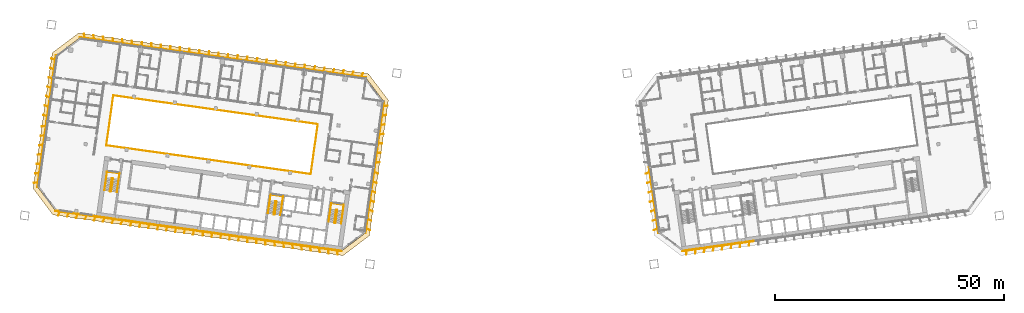
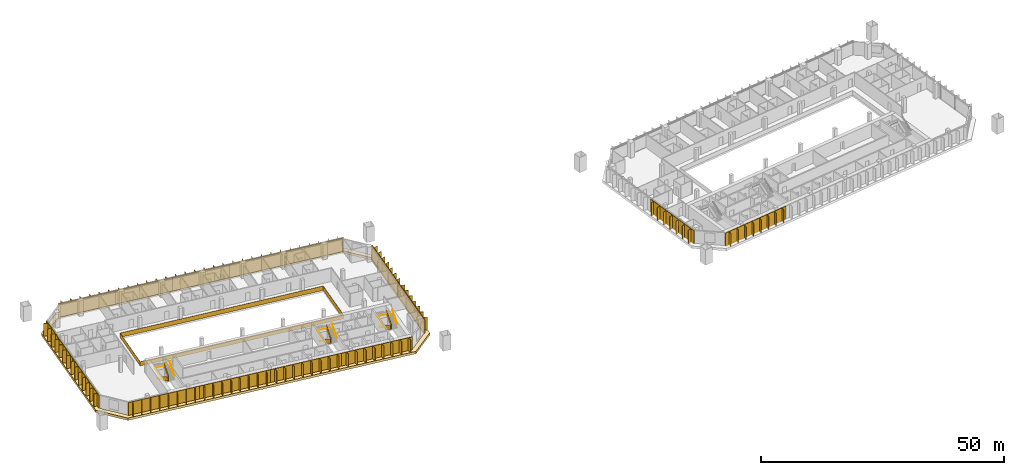
# One storey, part 24 of 25: 15 shading devices, 7 railings, 1 covering.
"""IFC4 building model written with IfcOpenShell, lengths in metres."""

from ifc_helpers import new_model, si_unit, direction, frame, origin, origin_2d, place, context, subcontext, project, spatial, polyline, rectangle, outline, extrude, material, layer, layer_set, type_object, element, save


model = new_model("IFC4")

# Units and contexts
model_context = context("Model", 3, precision=1e-05, world=origin(), true_north=direction((0.0, 1.0)))
body_context = subcontext(model_context, "Body", "Model", "MODEL_VIEW")
ifc_project = project(units=[si_unit("LENGTHUNIT", "METRE"), si_unit("AREAUNIT", "SQUARE_METRE"), si_unit("VOLUMEUNIT", "CUBIC_METRE"), si_unit("PLANEANGLEUNIT", "RADIAN"), si_unit("MASSUNIT", "GRAM", prefix="KILO")], contexts=[model_context])

# Site, building, storey
site_placement = place(None, origin())
site = spatial("IfcSite", under=ifc_project, at=site_placement, CompositionType="ELEMENT")
building_placement = place(site_placement, origin())
building = spatial("IfcBuilding", under=site, at=building_placement, Name="Mirante Cascada Hotel Towers", CompositionType="ELEMENT")
storey_placement = place(building_placement, frame((0.0, 0.0, 54.7)))
storey = spatial("IfcBuildingStorey", under=building, at=storey_placement, Name="L10", CompositionType="ELEMENT", Elevation=54.7)

# Railing
ifc_material_1 = material(Name="Toughened glass with stainless steel handrail", Category="steel")
railing_type_1 = type_object("IfcRailingType", Name="Atrium guard 1100 glass balustrade", PredefinedType="GUARDRAIL", material=ifc_material_1)
railing_1_placement = place(storey_placement, frame((-43.8418, -3.4881, 0.0)))
element("IfcRailing", 1, at=railing_1_placement, inside=storey, type_object=railing_type_1, Name="GUARD 1-L10-1", PredefinedType="GUARDRAIL", context=body_context, shape_type="SweptSolid", body=[
    extrude(rectangle(XDim=0.048, YDim=0.048, at=origin_2d()), frame((0.0, 0.0, 1.076), z_axis=(-0.9902681, 0.1391732, 0.0), x_axis=(-0.1391732, -0.9902681, 0.0)), (0.0, 0.0, 1.0), 45.0),
    extrude(rectangle(XDim=0.02, YDim=1.052, at=origin_2d()), frame((0.0, 0.0, 0.526), z_axis=(-0.9902681, 0.1391732, 0.0), x_axis=(-0.1391732, -0.9902681, 0.0)), (0.0, 0.0, 1.0), 45.0),
    extrude(rectangle(XDim=0.048, YDim=0.048, at=origin_2d()), frame((-44.5621, 6.2628, 1.076), z_axis=(0.1391721, 0.9902682, 0.0), x_axis=(-0.9902682, 0.1391721, 0.0)), (0.0, 0.0, 1.0), 11.0001),
    extrude(rectangle(XDim=0.02, YDim=1.052, at=origin_2d()), frame((-44.5621, 6.2628, 0.526), z_axis=(0.1391721, 0.9902682, 0.0), x_axis=(-0.9902682, 0.1391721, 0.0)), (0.0, 0.0, 1.0), 11.0001),
    extrude(rectangle(XDim=0.048, YDim=0.048, at=origin_2d()), frame((-43.0312, 17.1558, 1.076), z_axis=(0.9902681, -0.1391732, 0.0), x_axis=(0.1391732, 0.9902681, 0.0)), (0.0, 0.0, 1.0), 45.0),
    extrude(rectangle(XDim=0.02, YDim=1.052, at=origin_2d()), frame((-43.0312, 17.1558, 0.526), z_axis=(0.9902681, -0.1391732, 0.0), x_axis=(0.1391732, 0.9902681, 0.0)), (0.0, 0.0, 1.0), 45.0),
    extrude(rectangle(XDim=0.048, YDim=0.048, at=origin_2d()), frame((1.5309, 10.893, 1.076), z_axis=(-0.1391721, -0.9902682, 0.0), x_axis=(0.9902682, -0.1391721, 0.0)), (0.0, 0.0, 1.0), 11.0001),
    extrude(rectangle(XDim=0.02, YDim=1.052, at=origin_2d()), frame((1.5309, 10.893, 0.526), z_axis=(-0.1391721, -0.9902682, 0.0), x_axis=(0.9902682, -0.1391721, 0.0)), (0.0, 0.0, 1.0), 11.0001),
])

# Covering
ifc_material_2 = material(Name="Precast concrete C40/50 white", Category="concrete")
ifc_layer = layer(ifc_material_2, 0.6)
ifc_layer_set = layer_set([ifc_layer], Name="Precast concrete SUNSHADE band 1000x600")
covering_type = type_object("IfcCoveringType", Name="Precast concrete SUNSHADE band 1000x600", PredefinedType="CLADDING", material=ifc_layer_set)
covering_placement = place(storey_placement, frame((0.0, 0.0, -0.45)))
element("IfcCovering", 2, at=covering_placement, inside=storey, type_object=covering_type, Name="Precast concrete SUNSHADE band T1 L10", PredefinedType="CLADDING", context=body_context, shape_type="SweptSolid", body=[
    extrude(outline(polyline([(-104.3652, -6.6094), (-100.2139, 22.9287), (-94.4698, 27.2572), (-31.2626, 18.374), (-26.9341, 12.6299), (-31.0854, -16.9082), (-36.8295, -21.2367), (-100.0367, -12.3535), (-104.3652, -6.6094)]), holes=[polyline([(-27.982, 12.3589), (-31.8119, 17.4414), (-94.1988, 26.2093), (-99.2813, 22.3794), (-103.3173, -6.3384), (-99.4874, -11.4209), (-37.1005, -20.1888), (-32.018, -16.3589), (-27.982, 12.3589)])]), origin(), (0.0, 0.0, 1.0), 0.6),
])

# Railings
ifc_material_3 = material(Name="Painted steel", Category="steel")
railing_type_2 = type_object("IfcRailingType", Name="Stair guard 1100 steel balustrade", PredefinedType="GUARDRAIL", material=ifc_material_3)
railing_2_placement = place(storey_placement, frame((-38.1178, -11.2603, 0.0)))
element("IfcRailing", 3, at=railing_2_placement, inside=storey, type_object=railing_type_2, Name="L10 ST1-A stair guard 1", PredefinedType="GUARDRAIL", context=body_context, shape_type="SweptSolid", body=[
    extrude(rectangle(XDim=0.048, YDim=0.048, at=origin_2d()), frame((0.0, 0.0, 1.076), z_axis=(-0.9903326, 0.1387133, 0.0), x_axis=(-0.1387133, -0.9903326, 0.0)), (0.0, 0.0, 1.0), 0.1499),
    extrude(rectangle(XDim=0.02, YDim=1.052, at=origin_2d()), frame((0.0, 0.0, 0.526), z_axis=(-0.9903326, 0.1387133, 0.0), x_axis=(-0.1387133, -0.9903326, 0.0)), (0.0, 0.0, 1.0), 0.1499),
    extrude(rectangle(XDim=0.048, YDim=0.048, at=origin_2d()), frame((-0.1485, 0.0208, 1.076), z_axis=(-0.7991505, -0.6011309, 0.0), x_axis=(0.6011309, -0.7991505, 0.0)), (0.0, 0.9254529, 0.3788627), 0.1866),
    extrude(rectangle(XDim=0.02, YDim=1.052, at=origin_2d()), frame((-0.1485, 0.0208, 0.526), z_axis=(-0.7991505, -0.6011309, 0.0), x_axis=(0.6011309, -0.7991505, 0.0)), (0.0, 0.9254529, 0.3788627), 0.1866),
    extrude(rectangle(XDim=0.048, YDim=0.048, at=origin_2d()), frame((-0.205, -0.0217, 1.2487), z_axis=(-0.139176, -0.9902677, 0.0), x_axis=(0.9902677, -0.139176, 0.0)), (0.0, 0.5250212, 0.8510891), 3.29),
    extrude(rectangle(XDim=0.02, YDim=1.052, at=origin_2d()), frame((-0.205, -0.0217, 0.6987), z_axis=(-0.139176, -0.9902677, 0.0), x_axis=(0.9902677, -0.139176, 0.0)), (0.0, 0.5250212, 0.8510891), 3.29),
    extrude(rectangle(XDim=0.048, YDim=0.048, at=origin_2d()), frame((-0.5947, -2.7945, 2.976), z_axis=(0.9270311, -0.3749843, 0.0), x_axis=(0.3749843, 0.9270311, 0.0)), (0.0, 0.0, 1.0), 0.2061),
    extrude(rectangle(XDim=0.02, YDim=1.052, at=origin_2d()), frame((-0.5947, -2.7945, 2.426), z_axis=(0.9270311, -0.3749843, 0.0), x_axis=(0.3749843, 0.9270311, 0.0)), (0.0, 0.0, 1.0), 0.2061),
    extrude(rectangle(XDim=0.048, YDim=0.048, at=origin_2d()), frame((-0.4036, -2.8718, 2.976), z_axis=(-0.9902408, 0.1393672, 0.0), x_axis=(-0.1393672, -0.9902408, 0.0)), (0.0, 0.0, 1.0), 0.15),
    extrude(rectangle(XDim=0.02, YDim=1.052, at=origin_2d()), frame((-0.4036, -2.8718, 2.426), z_axis=(-0.9902408, 0.1393672, 0.0), x_axis=(-0.1393672, -0.9902408, 0.0)), (0.0, 0.0, 1.0), 0.15),
    extrude(rectangle(XDim=0.048, YDim=0.048, at=origin_2d()), frame((-0.5521, -2.8509, 2.976), z_axis=(0.9944948, 0.1047858, 0.0), x_axis=(-0.1047858, 0.9944948, 0.0)), (0.0, 0.6422034, 0.7665343), 0.2689),
    extrude(rectangle(XDim=0.02, YDim=1.052, at=origin_2d()), frame((-0.5521, -2.8509, 2.426), z_axis=(0.9944948, 0.1047858, 0.0), x_axis=(-0.1047858, 0.9944948, 0.0)), (0.0, 0.6422034, 0.7665343), 0.2689),
    extrude(rectangle(XDim=0.048, YDim=0.048, at=origin_2d()), frame((-0.3471, -2.8293, 3.1487), z_axis=(0.139176, 0.9902677, 0.0), x_axis=(-0.9902677, 0.139176, 0.0)), (0.0, 0.5250212, 0.8510891), 3.29),
    extrude(rectangle(XDim=0.02, YDim=1.052, at=origin_2d()), frame((-0.3471, -2.8293, 2.5987), z_axis=(0.139176, 0.9902677, 0.0), x_axis=(-0.9902677, 0.139176, 0.0)), (0.0, 0.5250212, 0.8510891), 3.29),
])
railing_3_placement = place(storey_placement, frame((-51.3379, -9.4024, 0.0)))
element("IfcRailing", 4, at=railing_3_placement, inside=storey, type_object=railing_type_2, Name="L10 ST1-B stair guard 1", PredefinedType="GUARDRAIL", context=body_context, shape_type="SweptSolid", body=[
    extrude(rectangle(XDim=0.048, YDim=0.048, at=origin_2d()), frame((0.0, 0.0, 1.076), z_axis=(-0.9902408, 0.1393672, 0.0), x_axis=(-0.1393672, -0.9902408, 0.0)), (0.0, 0.0, 1.0), 0.15),
    extrude(rectangle(XDim=0.02, YDim=1.052, at=origin_2d()), frame((0.0, 0.0, 0.526), z_axis=(-0.9902408, 0.1393672, 0.0), x_axis=(-0.1393672, -0.9902408, 0.0)), (0.0, 0.0, 1.0), 0.15),
    extrude(rectangle(XDim=0.048, YDim=0.048, at=origin_2d()), frame((-0.1485, 0.0209, 1.076), z_axis=(-0.7984711, -0.6020331, 0.0), x_axis=(0.6020331, -0.7984711, 0.0)), (0.0, 0.9253398, 0.3791387), 0.1866),
    extrude(rectangle(XDim=0.02, YDim=1.052, at=origin_2d()), frame((-0.1485, 0.0209, 0.526), z_axis=(-0.7984711, -0.6020331, 0.0), x_axis=(0.6020331, -0.7984711, 0.0)), (0.0, 0.9253398, 0.3791387), 0.1866),
    extrude(rectangle(XDim=0.048, YDim=0.048, at=origin_2d()), frame((-0.205, -0.0217, 1.2487), z_axis=(-0.139181, -0.990267, 0.0), x_axis=(0.990267, -0.139181, 0.0)), (0.0, 0.5250347, 0.8510808), 3.2899),
    extrude(rectangle(XDim=0.02, YDim=1.052, at=origin_2d()), frame((-0.205, -0.0217, 0.6987), z_axis=(-0.139181, -0.990267, 0.0), x_axis=(0.990267, -0.139181, 0.0)), (0.0, 0.5250347, 0.8510808), 3.2899),
    extrude(rectangle(XDim=0.048, YDim=0.048, at=origin_2d()), frame((-0.5947, -2.7944, 2.976), z_axis=(0.9268624, -0.3754011, 0.0), x_axis=(0.3754011, 0.9268624, 0.0)), (0.0, 0.0, 1.0), 0.2062),
    extrude(rectangle(XDim=0.02, YDim=1.052, at=origin_2d()), frame((-0.5947, -2.7944, 2.426), z_axis=(0.9268624, -0.3754011, 0.0), x_axis=(0.3754011, 0.9268624, 0.0)), (0.0, 0.0, 1.0), 0.2062),
    extrude(rectangle(XDim=0.048, YDim=0.048, at=origin_2d()), frame((-0.4036, -2.8718, 2.976), z_axis=(-0.9902408, 0.1393672, 0.0), x_axis=(-0.1393672, -0.9902408, 0.0)), (0.0, 0.0, 1.0), 0.15),
    extrude(rectangle(XDim=0.02, YDim=1.052, at=origin_2d()), frame((-0.4036, -2.8718, 2.426), z_axis=(-0.9902408, 0.1393672, 0.0), x_axis=(-0.1393672, -0.9902408, 0.0)), (0.0, 0.0, 1.0), 0.15),
    extrude(rectangle(XDim=0.048, YDim=0.048, at=origin_2d()), frame((-0.5521, -2.8509, 2.976), z_axis=(0.9944441, 0.1052656, 0.0), x_axis=(-0.1052656, 0.9944441, 0.0)), (0.0, 0.6421842, 0.7665504), 0.2689),
    extrude(rectangle(XDim=0.02, YDim=1.052, at=origin_2d()), frame((-0.5521, -2.8509, 2.426), z_axis=(0.9944441, 0.1052656, 0.0), x_axis=(-0.1052656, 0.9944441, 0.0)), (0.0, 0.6421842, 0.7665504), 0.2689),
    extrude(rectangle(XDim=0.048, YDim=0.048, at=origin_2d()), frame((-0.3471, -2.8292, 3.1487), z_axis=(0.139181, 0.990267, 0.0), x_axis=(-0.990267, 0.139181, 0.0)), (0.0, 0.5250347, 0.8510808), 3.2899),
    extrude(rectangle(XDim=0.02, YDim=1.052, at=origin_2d()), frame((-0.3471, -2.8292, 2.5987), z_axis=(0.139181, 0.990267, 0.0), x_axis=(-0.990267, 0.139181, 0.0)), (0.0, 0.5250347, 0.8510808), 3.2899),
])
railing_4_placement = place(storey_placement, frame((-86.9875, -4.3922, 0.0)))
element("IfcRailing", 5, at=railing_4_placement, inside=storey, type_object=railing_type_2, Name="L10 ST1-C stair guard 1", PredefinedType="GUARDRAIL", context=body_context, shape_type="SweptSolid", body=[
    extrude(rectangle(XDim=0.048, YDim=0.048, at=origin_2d()), frame((0.0, 0.0, 1.076), z_axis=(-0.9902537, 0.1392753, 0.0), x_axis=(-0.1392753, -0.9902537, 0.0)), (0.0, 0.0, 1.0), 0.1501),
    extrude(rectangle(XDim=0.02, YDim=1.052, at=origin_2d()), frame((0.0, 0.0, 0.526), z_axis=(-0.9902537, 0.1392753, 0.0), x_axis=(-0.1392753, -0.9902537, 0.0)), (0.0, 0.0, 1.0), 0.1501),
    extrude(rectangle(XDim=0.048, YDim=0.048, at=origin_2d()), frame((-0.1486, 0.0209, 1.076), z_axis=(-0.7986386, -0.601811, 0.0), x_axis=(0.601811, -0.7986386, 0.0)), (0.0, 0.925603, 0.3784959), 0.1866),
    extrude(rectangle(XDim=0.02, YDim=1.052, at=origin_2d()), frame((-0.1486, 0.0209, 0.526), z_axis=(-0.7986386, -0.601811, 0.0), x_axis=(0.601811, -0.7986386, 0.0)), (0.0, 0.925603, 0.3784959), 0.1866),
    extrude(rectangle(XDim=0.048, YDim=0.048, at=origin_2d()), frame((-0.205, -0.0216, 1.2487), z_axis=(-0.139176, -0.9902677, 0.0), x_axis=(0.9902677, -0.139176, 0.0)), (0.0, 0.5250212, 0.8510891), 3.29),
    extrude(rectangle(XDim=0.02, YDim=1.052, at=origin_2d()), frame((-0.205, -0.0216, 0.6987), z_axis=(-0.139176, -0.9902677, 0.0), x_axis=(0.9902677, -0.139176, 0.0)), (0.0, 0.5250212, 0.8510891), 3.29),
    extrude(rectangle(XDim=0.048, YDim=0.048, at=origin_2d()), frame((-0.5947, -2.7944, 2.976), z_axis=(0.9270311, -0.3749843, 0.0), x_axis=(0.3749843, 0.9270311, 0.0)), (0.0, 0.0, 1.0), 0.2061),
    extrude(rectangle(XDim=0.02, YDim=1.052, at=origin_2d()), frame((-0.5947, -2.7944, 2.426), z_axis=(0.9270311, -0.3749843, 0.0), x_axis=(0.3749843, 0.9270311, 0.0)), (0.0, 0.0, 1.0), 0.2061),
    extrude(rectangle(XDim=0.048, YDim=0.048, at=origin_2d()), frame((-0.4036, -2.8717, 2.976), z_axis=(-0.9903454, 0.1386217, 0.0), x_axis=(-0.1386217, -0.9903454, 0.0)), (0.0, 0.0, 1.0), 0.15),
    extrude(rectangle(XDim=0.02, YDim=1.052, at=origin_2d()), frame((-0.4036, -2.8717, 2.426), z_axis=(-0.9903454, 0.1386217, 0.0), x_axis=(-0.1386217, -0.9903454, 0.0)), (0.0, 0.0, 1.0), 0.15),
    extrude(rectangle(XDim=0.048, YDim=0.048, at=origin_2d()), frame((-0.5522, -2.8509, 2.976), z_axis=(0.9944441, 0.1052656, 0.0), x_axis=(-0.1052656, 0.9944441, 0.0)), (0.0, 0.6421842, 0.7665504), 0.2689),
    extrude(rectangle(XDim=0.02, YDim=1.052, at=origin_2d()), frame((-0.5522, -2.8509, 2.426), z_axis=(0.9944441, 0.1052656, 0.0), x_axis=(-0.1052656, 0.9944441, 0.0)), (0.0, 0.6421842, 0.7665504), 0.2689),
    extrude(rectangle(XDim=0.048, YDim=0.048, at=origin_2d()), frame((-0.3472, -2.8292, 3.1487), z_axis=(0.139176, 0.9902677, 0.0), x_axis=(-0.9902677, 0.139176, 0.0)), (0.0, 0.5250212, 0.8510891), 3.29),
    extrude(rectangle(XDim=0.02, YDim=1.052, at=origin_2d()), frame((-0.3472, -2.8292, 2.5987), z_axis=(0.139176, 0.9902677, 0.0), x_axis=(-0.9902677, 0.139176, 0.0)), (0.0, 0.5250212, 0.8510891), 3.29),
])
ifc_material_4 = material(Name="Painted steel", Category="steel")
railing_type_3 = type_object("IfcRailingType", Name="Stair handrail 900 steel tube", PredefinedType="HANDRAIL", material=ifc_material_4)
railing_5_placement = place(storey_placement, frame((-39.5606, -11.1081, 0.1727)))
element("IfcRailing", 6, at=railing_5_placement, inside=storey, type_object=railing_type_3, Name="L10 ST1-A stair handrail 1", PredefinedType="HANDRAIL", context=body_context, shape_type="SweptSolid", body=[
    extrude(rectangle(XDim=0.048, YDim=0.048, at=origin_2d()), frame((0.0, 0.0, 0.876), z_axis=(-0.139181, -0.990267, 0.0), x_axis=(0.990267, -0.139181, 0.0)), (0.0, 0.5250347, 0.8510808), 3.2899),
    extrude(rectangle(XDim=0.048, YDim=0.048, at=origin_2d()), frame((-0.3897, -2.7727, 2.6033), z_axis=(0.1391707, 0.9902684, 0.0), x_axis=(-0.9902684, 0.1391707, 0.0)), (0.0, 0.0420846, 0.999114), 4.1036),
    extrude(rectangle(XDim=0.048, YDim=0.048, at=origin_2d()), frame((0.1809, 1.2874, 2.776), z_axis=(0.9902691, -0.1391657, 0.0), x_axis=(0.1391657, 0.9902691, 0.0)), (0.0, 0.0, 1.0), 2.75),
    extrude(rectangle(XDim=0.048, YDim=0.048, at=origin_2d()), frame((2.9041, 0.9047, 2.776), z_axis=(-0.1391707, -0.9902684, 0.0), x_axis=(0.9902684, -0.1391707, 0.0)), (0.0, 0.0, 1.0), 4.1),
    extrude(rectangle(XDim=0.048, YDim=0.048, at=origin_2d()), frame((2.3335, -3.1554, 2.776), z_axis=(0.139181, 0.990267, 0.0), x_axis=(-0.990267, 0.139181, 0.0)), (0.0, 0.5250347, 0.8510808), 3.2899),
])
railing_6_placement = place(storey_placement, frame((-52.7807, -9.2501, 0.1727)))
element("IfcRailing", 7, at=railing_6_placement, inside=storey, type_object=railing_type_3, Name="L10 ST1-B stair handrail 1", PredefinedType="HANDRAIL", context=body_context, shape_type="SweptSolid", body=[
    extrude(rectangle(XDim=0.048, YDim=0.048, at=origin_2d()), frame((0.0, 0.0, 0.876), z_axis=(-0.139181, -0.990267, 0.0), x_axis=(0.990267, -0.139181, 0.0)), (0.0, 0.5250347, 0.8510808), 3.2899),
    extrude(rectangle(XDim=0.048, YDim=0.048, at=origin_2d()), frame((-0.3897, -2.7727, 2.6033), z_axis=(0.1391707, 0.9902684, 0.0), x_axis=(-0.9902684, 0.1391707, 0.0)), (0.0, 0.0420846, 0.999114), 4.1036),
    extrude(rectangle(XDim=0.048, YDim=0.048, at=origin_2d()), frame((0.1809, 1.2874, 2.776), z_axis=(0.9902641, -0.1392013, 0.0), x_axis=(0.1392013, 0.9902641, 0.0)), (0.0, 0.0, 1.0), 2.75),
    extrude(rectangle(XDim=0.048, YDim=0.048, at=origin_2d()), frame((2.9041, 0.9046, 2.776), z_axis=(-0.1391707, -0.9902684, 0.0), x_axis=(0.9902684, -0.1391707, 0.0)), (0.0, 0.0, 1.0), 4.1),
    extrude(rectangle(XDim=0.048, YDim=0.048, at=origin_2d()), frame((2.3335, -3.1555, 2.776), z_axis=(0.139176, 0.9902677, 0.0), x_axis=(-0.9902677, 0.139176, 0.0)), (0.0, 0.5250212, 0.8510891), 3.29),
])
railing_7_placement = place(storey_placement, frame((-88.4304, -4.2399, 0.1727)))
element("IfcRailing", 8, at=railing_7_placement, inside=storey, type_object=railing_type_3, Name="L10 ST1-C stair handrail 1", PredefinedType="HANDRAIL", context=body_context, shape_type="SweptSolid", body=[
    extrude(rectangle(XDim=0.048, YDim=0.048, at=origin_2d()), frame((0.0, 0.0, 0.876), z_axis=(-0.139181, -0.990267, 0.0), x_axis=(0.990267, -0.139181, 0.0)), (0.0, 0.5250347, 0.8510808), 3.2899),
    extrude(rectangle(XDim=0.048, YDim=0.048, at=origin_2d()), frame((-0.3897, -2.7727, 2.6033), z_axis=(0.1391947, 0.990265, 0.0), x_axis=(-0.990265, 0.1391947, 0.0)), (0.0, 0.0420845, 0.9991141), 4.1036),
    extrude(rectangle(XDim=0.048, YDim=0.048, at=origin_2d()), frame((0.181, 1.2874, 2.776), z_axis=(0.9902691, -0.1391657, 0.0), x_axis=(0.1391657, 0.9902691, 0.0)), (0.0, 0.0, 1.0), 2.75),
    extrude(rectangle(XDim=0.048, YDim=0.048, at=origin_2d()), frame((2.9042, 0.9047, 2.776), z_axis=(-0.1391707, -0.9902684, 0.0), x_axis=(0.9902684, -0.1391707, 0.0)), (0.0, 0.0, 1.0), 4.1),
    extrude(rectangle(XDim=0.048, YDim=0.048, at=origin_2d()), frame((2.3336, -3.1554, 2.776), z_axis=(0.139181, 0.990267, 0.0), x_axis=(-0.990267, 0.139181, 0.0)), (0.0, 0.5250347, 0.8510808), 3.2899),
])

# Shading devices
ifc_material_5 = material(Name="White precast concrete C50/60 fin", Category="concrete")
shading_device_type = type_object("IfcShadingDeviceType", Name="Vertical fin set 4500x900", PredefinedType="USERDEFINED", material=ifc_material_5)
shading_device_1_placement = place(storey_placement, origin())
element("IfcShadingDevice", 9, at=shading_device_1_placement, inside=storey, type_object=shading_device_type, Name="FIN T1 L10 front 1", ObjectType="FIN", PredefinedType="USERDEFINED", context=body_context, shape_type="SweptSolid", body=[
    extrude(outline(polyline([(-82.8173, 25.599), (-82.7126, 24.7465), (-81.7006, 24.6042), (-81.7214, 24.4557), (-94.1988, 26.2093), (-94.1779, 26.3578), (-93.1924, 26.2193), (-93.2945, 27.0506), (-93.2151, 27.0603), (-93.1104, 26.2078), (-91.1129, 25.9271), (-91.2149, 26.7583), (-91.1355, 26.7681), (-91.0308, 25.9155), (-89.0333, 25.6348), (-89.1354, 26.4661), (-89.056, 26.4758), (-88.9513, 25.6233), (-86.9537, 25.3425), (-87.0558, 26.1738), (-86.9764, 26.1835), (-86.8717, 25.331), (-84.8742, 25.0503), (-84.9762, 25.8815), (-84.8968, 25.8913), (-84.7922, 25.0387), (-82.7946, 24.758), (-82.8967, 25.5893), (-82.8173, 25.599)])), origin(), (0.0, 0.0, 1.0), 3.35),
])
shading_device_2_placement = place(storey_placement, origin())
element("IfcShadingDevice", 10, at=shading_device_2_placement, inside=storey, type_object=shading_device_type, Name="FIN T1 L10 front 2", ObjectType="FIN", PredefinedType="USERDEFINED", context=body_context, shape_type="SweptSolid", body=[
    extrude(outline(polyline([(-70.2221, 23.8469), (-70.2295, 22.9921), (-69.2232, 22.8507), (-69.2441, 22.7021), (-81.7214, 24.4557), (-81.7006, 24.6042), (-80.7072, 24.4646), (-80.6999, 25.3089), (-80.6199, 25.3082), (-80.6273, 24.4534), (-78.6277, 24.1724), (-78.6203, 25.0166), (-78.5403, 25.0159), (-78.5478, 24.1611), (-76.5481, 23.8801), (-76.5407, 24.7244), (-76.4608, 24.7237), (-76.4682, 23.8689), (-74.4686, 23.5878), (-74.4612, 24.4321), (-74.3812, 24.4314), (-74.3886, 23.5766), (-72.389, 23.2956), (-72.3816, 24.1399), (-72.3016, 24.1392), (-72.3091, 23.2844), (-70.3094, 23.0033), (-70.3021, 23.8476), (-70.2221, 23.8469)])), origin(), (0.0, 0.0, 1.0), 3.35),
])
shading_device_3_placement = place(storey_placement, origin())
element("IfcShadingDevice", 11, at=shading_device_3_placement, inside=storey, type_object=shading_device_type, Name="FIN T1 L10 front 3", ObjectType="FIN", PredefinedType="USERDEFINED", context=body_context, shape_type="SweptSolid", body=[
    extrude(outline(polyline([(-57.6277, 22.0794), (-57.746, 21.2376), (-56.7458, 21.0971), (-56.7667, 20.9485), (-69.2441, 22.7021), (-69.2232, 22.8507), (-68.223, 22.7101), (-68.1047, 23.5518), (-68.0255, 23.5407), (-68.1438, 22.699), (-66.1434, 22.4178), (-66.0251, 23.2596), (-65.9459, 23.2484), (-66.0642, 22.4067), (-64.0639, 22.1256), (-63.9456, 22.9673), (-63.8664, 22.9562), (-63.9847, 22.1144), (-61.9843, 21.8333), (-61.866, 22.675), (-61.7868, 22.6639), (-61.9051, 21.8222), (-59.9048, 21.541), (-59.7865, 22.3828), (-59.7072, 22.3716), (-59.8255, 21.5299), (-57.8252, 21.2488), (-57.7069, 22.0905), (-57.6277, 22.0794)])), origin(), (0.0, 0.0, 1.0), 3.35),
])
shading_device_4_placement = place(storey_placement, origin())
element("IfcShadingDevice", 12, at=shading_device_4_placement, inside=storey, type_object=shading_device_type, Name="FIN T1 L10 front 4", ObjectType="FIN", PredefinedType="USERDEFINED", context=body_context, shape_type="SweptSolid", body=[
    extrude(outline(polyline([(-45.0361, 20.2967), (-45.2617, 19.4831), (-44.2684, 19.3435), (-44.2893, 19.195), (-56.7667, 20.9485), (-56.7458, 21.0971), (-55.7394, 20.9556), (-55.511, 21.7794), (-55.4339, 21.758), (-55.6595, 20.9444), (-53.6599, 20.6634), (-53.4314, 21.4871), (-53.3544, 21.4657), (-53.58, 20.6521), (-51.5803, 20.3711), (-51.3519, 21.1949), (-51.2748, 21.1735), (-51.5004, 20.3599), (-49.5008, 20.0789), (-49.2723, 20.9026), (-49.1952, 20.8812), (-49.4209, 20.0676), (-47.4212, 19.7866), (-47.1928, 20.6103), (-47.1157, 20.589), (-47.3413, 19.7754), (-45.3416, 19.4943), (-45.1132, 20.3181), (-45.0361, 20.2967)])), origin(), (0.0, 0.0, 1.0), 3.35),
])
shading_device_5_placement = place(storey_placement, origin())
element("IfcShadingDevice", 13, at=shading_device_5_placement, inside=storey, type_object=shading_device_type, Name="FIN T1 L10 front 5", ObjectType="FIN", PredefinedType="USERDEFINED", context=body_context, shape_type="SweptSolid", body=[
    extrude(outline(polyline([(-32.4493, 18.4994), (-32.7765, 17.7284), (-31.791, 17.5899), (-31.8119, 17.4414), (-44.2893, 19.195), (-44.2684, 19.3435), (-43.2564, 19.2013), (-42.9208, 19.9919), (-42.8471, 19.9607), (-43.1744, 19.1897), (-41.1768, 18.909), (-40.8412, 19.6997), (-40.7676, 19.6684), (-41.0948, 18.8975), (-39.0973, 18.6167), (-38.7616, 19.4074), (-38.688, 19.3761), (-39.0152, 18.6052), (-37.0177, 18.3245), (-36.6821, 19.1151), (-36.6084, 19.0839), (-36.9357, 18.3129), (-34.9381, 18.0322), (-34.6025, 18.8229), (-34.5289, 18.7916), (-34.8561, 18.0207), (-32.8586, 17.7399), (-32.5229, 18.5306), (-32.4493, 18.4994)])), origin(), (0.0, 0.0, 1.0), 3.35),
])
shading_device_6_placement = place(storey_placement, origin())
element("IfcShadingDevice", 14, at=shading_device_6_placement, inside=storey, type_object=shading_device_type, Name="FIN T1 L10 inner 1", ObjectType="FIN", PredefinedType="USERDEFINED", context=body_context, shape_type="SweptSolid", body=[
    extrude(outline(polyline([(-29.7112, -1.023), (-29.8515, -2.0209), (-30.0, -2.0), (-27.982, 12.3589), (-27.8334, 12.338), (-27.97, 11.3667), (-27.1387, 11.4687), (-27.1289, 11.3893), (-27.9815, 11.2846), (-28.2583, 9.3154), (-27.427, 9.4174), (-27.4172, 9.338), (-28.2698, 9.2334), (-28.5465, 7.2641), (-27.7153, 7.3662), (-27.7055, 7.2868), (-28.5581, 7.1821), (-28.8348, 5.2128), (-28.0036, 5.3149), (-27.9938, 5.2355), (-28.8464, 5.1308), (-29.1231, 3.1616), (-28.2918, 3.2636), (-28.2821, 3.1842), (-29.1346, 3.0796), (-29.4114, 1.1103), (-28.5801, 1.2124), (-28.5704, 1.133), (-29.4229, 1.0283), (-29.6997, -0.941), (-28.8684, -0.8389), (-28.8587, -0.9183), (-29.7112, -1.023)])), origin(), (0.0, 0.0, 1.0), 3.35),
])
shading_device_7_placement = place(storey_placement, origin())
element("IfcShadingDevice", 15, at=shading_device_7_placement, inside=storey, type_object=shading_device_type, Name="FIN T1 L10 inner 2", ObjectType="FIN", PredefinedType="USERDEFINED", context=body_context, shape_type="SweptSolid", body=[
    extrude(outline(polyline([(-31.733, -15.4084), (-31.8695, -16.3798), (-32.018, -16.3589), (-30.0, -2.0), (-29.8515, -2.0209), (-29.9917, -3.0188), (-29.201, -3.3544), (-29.2323, -3.428), (-30.0032, -3.1008), (-30.28, -5.07), (-29.4893, -5.4057), (-29.5206, -5.4793), (-30.2915, -5.1521), (-30.5683, -7.1213), (-29.7776, -7.4569), (-29.8089, -7.5306), (-30.5798, -7.2033), (-30.8566, -9.1726), (-30.0659, -9.5082), (-30.0972, -9.5818), (-30.8681, -9.2546), (-31.1449, -11.2238), (-30.3542, -11.5595), (-30.3854, -11.6331), (-31.1564, -11.3059), (-31.4331, -13.2751), (-30.6425, -13.6107), (-30.6737, -13.6844), (-31.4447, -13.3571), (-31.7214, -15.3264), (-30.9308, -15.662), (-30.962, -15.7356), (-31.733, -15.4084)])), origin(), (0.0, 0.0, 1.0), 3.35),
])
shading_device_8_placement = place(storey_placement, origin())
element("IfcShadingDevice", 16, at=shading_device_8_placement, inside=storey, type_object=shading_device_type, Name="FIN T1 L10 outer 1", ObjectType="FIN", PredefinedType="USERDEFINED", context=body_context, shape_type="SweptSolid", body=[
    extrude(outline(polyline([(-103.3178, -5.2642), (-103.041, -3.2949), (-103.8723, -3.397), (-103.8821, -3.3176), (-103.0295, -3.2129), (-102.7528, -1.2436), (-103.584, -1.3457), (-103.5938, -1.2663), (-102.7412, -1.1616), (-102.4645, 0.8076), (-103.2957, 0.7056), (-103.3055, 0.785), (-102.4529, 0.8896), (-102.1762, 2.8589), (-103.0075, 2.7568), (-103.0172, 2.8362), (-102.1647, 2.9409), (-101.8879, 4.9102), (-102.7192, 4.8081), (-102.7289, 4.8875), (-101.8764, 4.9922), (-101.5996, 6.9614), (-102.4309, 6.8594), (-102.4406, 6.9388), (-101.5881, 7.0434), (-101.4478, 8.0413), (-101.2993, 8.0205), (-103.3173, -6.3384), (-103.4659, -6.3175), (-103.3293, -5.3462), (-104.1606, -5.4483), (-104.1704, -5.3689), (-103.3178, -5.2642)])), origin(), (0.0, 0.0, 1.0), 3.35),
])
shading_device_9_placement = place(storey_placement, origin())
element("IfcShadingDevice", 17, at=shading_device_9_placement, inside=storey, type_object=shading_device_type, Name="FIN T1 L10 outer 2", ObjectType="FIN", PredefinedType="USERDEFINED", context=body_context, shape_type="SweptSolid", body=[
    extrude(outline(polyline([(-101.2961, 9.1212), (-101.0193, 11.0905), (-101.81, 11.4261), (-101.7787, 11.4998), (-101.0078, 11.1725), (-100.731, 13.1418), (-101.5217, 13.4774), (-101.4904, 13.551), (-100.7195, 13.2238), (-100.4427, 15.193), (-101.2334, 15.5287), (-101.2021, 15.6023), (-100.4312, 15.2751), (-100.1544, 17.2443), (-100.9451, 17.5799), (-100.9139, 17.6536), (-100.1429, 17.3263), (-99.8662, 19.2956), (-100.6568, 19.6312), (-100.6256, 19.7048), (-99.8546, 19.3776), (-99.5779, 21.3469), (-100.3685, 21.6825), (-100.3373, 21.7561), (-99.5663, 21.4289), (-99.4298, 22.4002), (-99.2813, 22.3794), (-101.2993, 8.0205), (-101.4478, 8.0413), (-101.3076, 9.0392), (-102.0983, 9.3749), (-102.067, 9.4485), (-101.2961, 9.1212)])), origin(), (0.0, 0.0, 1.0), 3.35),
])
shading_device_10_placement = place(storey_placement, origin())
element("IfcShadingDevice", 18, at=shading_device_10_placement, inside=storey, type_object=shading_device_type, Name="FIN T1 L10 rear 1", ObjectType="FIN", PredefinedType="USERDEFINED", context=body_context, shape_type="SweptSolid", body=[
    extrude(outline(polyline([(-38.1239, -20.1965), (-39.9915, -19.934), (-39.8894, -20.7653), (-39.9688, -20.775), (-40.0735, -19.9225), (-41.9411, -19.66), (-41.839, -20.4913), (-41.9184, -20.501), (-42.0231, -19.6485), (-43.8907, -19.386), (-43.7886, -20.2173), (-43.868, -20.227), (-43.9727, -19.3745), (-45.8403, -19.112), (-45.7382, -19.9433), (-45.8176, -19.953), (-45.9223, -19.1005), (-47.7898, -18.838), (-47.6878, -19.6693), (-47.7672, -19.679), (-47.8719, -18.8265), (-49.7394, -18.564), (-49.6374, -19.3953), (-49.7168, -19.405), (-49.8214, -18.5525), (-51.689, -18.29), (-51.587, -19.1213), (-51.6664, -19.131), (-51.771, -18.2785), (-52.7181, -18.1454), (-52.6972, -17.9968), (-37.1005, -20.1888), (-37.1214, -20.3374), (-38.0419, -20.208), (-37.9398, -21.0393), (-38.0192, -21.049), (-38.1239, -20.1965)])), origin(), (0.0, 0.0, 1.0), 3.35),
])
shading_device_11_placement = place(storey_placement, origin())
element("IfcShadingDevice", 19, at=shading_device_11_placement, inside=storey, type_object=shading_device_type, Name="FIN T1 L10 rear 2", ObjectType="FIN", PredefinedType="USERDEFINED", context=body_context, shape_type="SweptSolid", body=[
    extrude(outline(polyline([(-53.7283, -18.0034), (-55.5984, -17.7406), (-55.6427, -18.5857), (-55.7226, -18.5815), (-55.6779, -17.7294), (-57.548, -17.4666), (-57.5923, -18.3117), (-57.6722, -18.3075), (-57.6275, -17.4554), (-59.4976, -17.1926), (-59.5419, -18.0377), (-59.6217, -18.0335), (-59.5771, -17.1814), (-61.4472, -16.9186), (-61.4914, -17.7637), (-61.5713, -17.7596), (-61.5267, -16.9074), (-63.3967, -16.6446), (-63.441, -17.4897), (-63.5209, -17.4856), (-63.4763, -16.6334), (-65.3463, -16.3706), (-65.3906, -17.2157), (-65.4705, -17.2116), (-65.4259, -16.3594), (-67.2959, -16.0966), (-67.3402, -16.9417), (-67.4201, -16.9376), (-67.3755, -16.0854), (-68.3148, -15.9534), (-68.2939, -15.8049), (-52.6972, -17.9968), (-52.7181, -18.1454), (-53.6488, -18.0146), (-53.6931, -18.8597), (-53.773, -18.8555), (-53.7283, -18.0034)])), origin(), (0.0, 0.0, 1.0), 3.35),
])
shading_device_12_placement = place(storey_placement, origin())
element("IfcShadingDevice", 20, at=shading_device_12_placement, inside=storey, type_object=shading_device_type, Name="FIN T1 L10 rear 3", ObjectType="FIN", PredefinedType="USERDEFINED", context=body_context, shape_type="SweptSolid", body=[
    extrude(outline(polyline([(-69.3337, -15.8102), (-71.2038, -15.5474), (-71.3957, -16.3788), (-71.4737, -16.3608), (-71.2833, -15.5362), (-73.1534, -15.2734), (-73.3453, -16.1048), (-73.4233, -16.0868), (-73.2329, -15.2622), (-75.103, -14.9994), (-75.2949, -15.8308), (-75.3729, -15.8128), (-75.1825, -14.9882), (-77.0525, -14.7254), (-77.2445, -15.5568), (-77.3224, -15.5388), (-77.1321, -14.7142), (-79.0021, -14.4514), (-79.1941, -15.2828), (-79.272, -15.2648), (-79.0817, -14.4402), (-80.9517, -14.1774), (-81.1437, -15.0088), (-81.2216, -14.9908), (-81.0312, -14.1662), (-82.9013, -13.9034), (-83.0933, -14.7348), (-83.1712, -14.7168), (-82.9808, -13.8922), (-83.9115, -13.7614), (-83.8907, -13.6129), (-68.2939, -15.8049), (-68.3148, -15.9534), (-69.2542, -15.8214), (-69.4461, -16.6528), (-69.5241, -16.6348), (-69.3337, -15.8102)])), origin(), (0.0, 0.0, 1.0), 3.35),
])
shading_device_13_placement = place(storey_placement, origin())
element("IfcShadingDevice", 21, at=shading_device_13_placement, inside=storey, type_object=shading_device_type, Name="FIN T1 L10 rear 4", ObjectType="FIN", PredefinedType="USERDEFINED", context=body_context, shape_type="SweptSolid", body=[
    extrude(outline(polyline([(-84.9406, -13.6168), (-86.8082, -13.3543), (-87.1438, -14.145), (-87.2174, -14.1137), (-86.8902, -13.3428), (-88.7578, -13.0803), (-89.0934, -13.871), (-89.167, -13.8397), (-88.8398, -13.0688), (-90.7074, -12.8063), (-91.043, -13.597), (-91.1166, -13.5657), (-90.7894, -12.7948), (-92.657, -12.5323), (-92.9926, -13.323), (-93.0662, -13.2918), (-92.739, -12.5208), (-94.6065, -12.2583), (-94.9422, -13.049), (-95.0158, -13.0178), (-94.6886, -12.2468), (-96.5561, -11.9843), (-96.8918, -12.775), (-96.9654, -12.7438), (-96.6381, -11.9728), (-98.5057, -11.7103), (-98.8413, -12.501), (-98.915, -12.4698), (-98.5877, -11.6988), (-99.5083, -11.5694), (-99.4874, -11.4209), (-83.8907, -13.6129), (-83.9115, -13.7614), (-84.8586, -13.6283), (-85.1942, -14.419), (-85.2679, -14.3877), (-84.9406, -13.6168)])), origin(), (0.0, 0.0, 1.0), 3.35),
])
shading_device_14_placement = place(storey_placement, origin())
element("IfcShadingDevice", 22, at=shading_device_14_placement, inside=storey, type_object=shading_device_type, Name="FIN T2 L10 inner 2", ObjectType="FIN", PredefinedType="USERDEFINED", context=body_context, shape_type="SweptSolid", body=[
    extrude(outline(polyline([(30.9308, -15.662), (31.7214, -15.3264), (31.4447, -13.3571), (30.6737, -13.6844), (30.6425, -13.6107), (31.4331, -13.2751), (31.1564, -11.3059), (30.3854, -11.6331), (30.3542, -11.5595), (31.1449, -11.2238), (30.8681, -9.2546), (30.0972, -9.5818), (30.0659, -9.5082), (30.8566, -9.1726), (30.5798, -7.2033), (29.8089, -7.5306), (29.7776, -7.4569), (30.5683, -7.1213), (30.2915, -5.1521), (29.5206, -5.4793), (29.4893, -5.4057), (30.28, -5.07), (30.0032, -3.1008), (29.2323, -3.428), (29.201, -3.3544), (29.9917, -3.0188), (29.8515, -2.0209), (30.0, -2.0), (32.018, -16.3589), (31.8695, -16.3798), (31.733, -15.4084), (30.962, -15.7356), (30.9308, -15.662)])), origin(), (0.0, 0.0, 1.0), 3.35),
])
shading_device_15_placement = place(storey_placement, origin())
element("IfcShadingDevice", 23, at=shading_device_15_placement, inside=storey, type_object=shading_device_type, Name="FIN T2 L10 rear 1", ObjectType="FIN", PredefinedType="USERDEFINED", context=body_context, shape_type="SweptSolid", body=[
    extrude(outline(polyline([(37.9398, -21.0393), (38.0419, -20.208), (37.1214, -20.3374), (37.1005, -20.1888), (52.6972, -17.9968), (52.7181, -18.1454), (51.771, -18.2785), (51.6664, -19.131), (51.587, -19.1213), (51.689, -18.29), (49.8214, -18.5525), (49.7168, -19.405), (49.6374, -19.3953), (49.7394, -18.564), (47.8719, -18.8265), (47.7672, -19.679), (47.6878, -19.6693), (47.7898, -18.838), (45.9223, -19.1005), (45.8176, -19.953), (45.7382, -19.9433), (45.8403, -19.112), (43.9727, -19.3745), (43.868, -20.227), (43.7886, -20.2173), (43.8907, -19.386), (42.0231, -19.6485), (41.9184, -20.501), (41.839, -20.4913), (41.9411, -19.66), (40.0735, -19.9225), (39.9688, -20.775), (39.8894, -20.7653), (39.9915, -19.934), (38.1239, -20.1965), (38.0192, -21.049), (37.9398, -21.0393)])), origin(), (0.0, 0.0, 1.0), 3.35),
])

save(model, "model.ifc")
